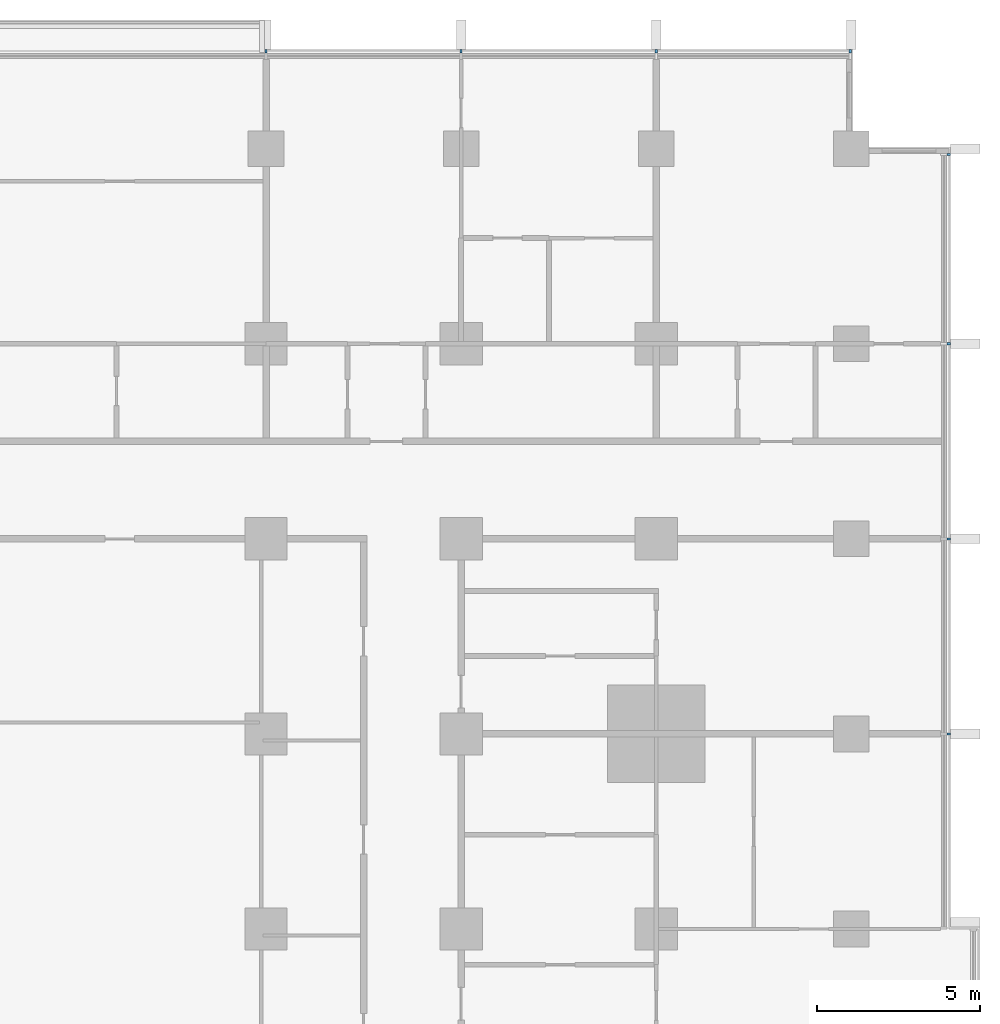
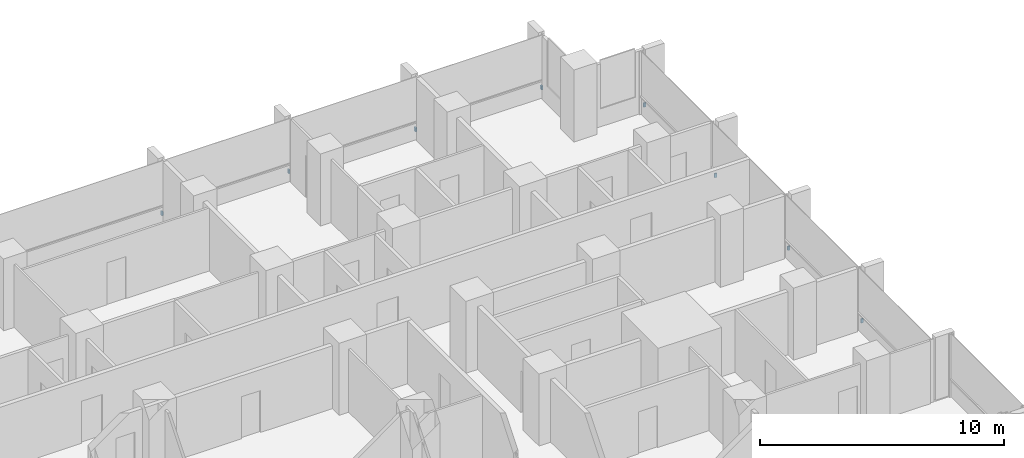
# One storey, part 17 of 18: 8 discrete accessories.
"""IFC4 building model written with IfcOpenShell, lengths in metres."""

from ifc_helpers import new_model, si_unit, direction, frame, origin, origin_2d, place, context, subcontext, project, spatial, rectangle, extrude, material, type_object, element, save


model = new_model("IFC4")

# Units and contexts
model_context = context("Model", 3, precision=1e-05, world=origin(), true_north=direction((0.0, 1.0)))
body_context = subcontext(model_context, "Body", "Model", "MODEL_VIEW")
ifc_project = project(units=[si_unit("LENGTHUNIT", "METRE"), si_unit("AREAUNIT", "SQUARE_METRE"), si_unit("VOLUMEUNIT", "CUBIC_METRE"), si_unit("PLANEANGLEUNIT", "RADIAN"), si_unit("MASSUNIT", "GRAM", prefix="KILO")], contexts=[model_context])

# Site, building, storey
site_placement = place(None, origin())
site = spatial("IfcSite", under=ifc_project, at=site_placement, CompositionType="ELEMENT")
building_placement = place(site_placement, origin())
building = spatial("IfcBuilding", under=site, at=building_placement, Name="Finial Court Residences", CompositionType="ELEMENT")
storey_placement = place(building_placement, frame((0.0, 0.0, 72.10009765625)))
storey = spatial("IfcBuildingStorey", under=building, at=storey_placement, Name="L17", CompositionType="ELEMENT", Elevation=72.10009765625)

# Discrete accessories
ifc_material = material(Name="Stainless steel 316", Category="steel")
discrete_accessory_type = type_object("IfcDiscreteAccessoryType", Name="Fin bracket, stainless steel 65 x 110 x 200", PredefinedType="BRACKET", material=ifc_material)
for number, where, z_axis, x_axis, name in (
    (1, (4.5, 28.5048828125, 0.2998046875), (0.0, 0.0, 1.0), (1.0, 0.0, 0.0), "E-L17-FIN-N5-BRK"),
    (2, (10.5, 28.5048828125, 0.2998046875), (0.0, 0.0, 1.0), (1.0, 0.0, 0.0), "E-L17-FIN-N6-BRK"),
    (3, (16.5, 28.5048828125, 0.2998046875), (0.0, 0.0, 1.0), (1.0, 0.0, 0.0), "E-L17-FIN-N7-BRK"),
    (4, (22.467529296875, 28.5048828125, 0.2998046875), (0.0, 0.0, 1.0), (1.0, 0.0, 0.0), "E-L17-FIN-N8-BRK"),
):
    element("IfcDiscreteAccessory", number, at=place(storey_placement, frame(where, z_axis=z_axis, x_axis=x_axis)), inside=storey, type_object=discrete_accessory_type, Name=name, PredefinedType="BRACKET", context=body_context, shape_type="SweptSolid", body=[
        extrude(rectangle(XDim=0.06494140625, YDim=0.110107421875, at=origin_2d()), origin(), (0.0, 0.0, 1.0), 0.199951171875),
    ])
for number, where, z_axis, x_axis, name in (
    (5, (25.5048828125, 7.5, 0.2998046875), (0.0, 0.0, 1.0), (1.0, 0.0, 0.0), "E-L17-FIN-E13-BRK"),
    (6, (25.5048828125, 13.5, 0.2998046875), (0.0, 0.0, 1.0), (1.0, 0.0, 0.0), "E-L17-FIN-E14-BRK"),
    (7, (25.5048828125, 19.5, 0.2998046875), (0.0, 0.0, 1.0), (1.0, 0.0, 0.0), "E-L17-FIN-E15-BRK"),
    (8, (25.5048828125, 25.3173828125, 0.2998046875), (0.0, 0.0, 1.0), (1.0, 0.0, 0.0), "E-L17-FIN-E16-BRK"),
):
    element("IfcDiscreteAccessory", number, at=place(storey_placement, frame(where, z_axis=z_axis, x_axis=x_axis)), inside=storey, type_object=discrete_accessory_type, Name=name, PredefinedType="BRACKET", context=body_context, shape_type="SweptSolid", body=[
        extrude(rectangle(XDim=0.110107421875, YDim=0.06494140625, at=origin_2d()), origin(), (0.0, 0.0, 1.0), 0.199951171875),
    ])

save(model, "model.ifc")
